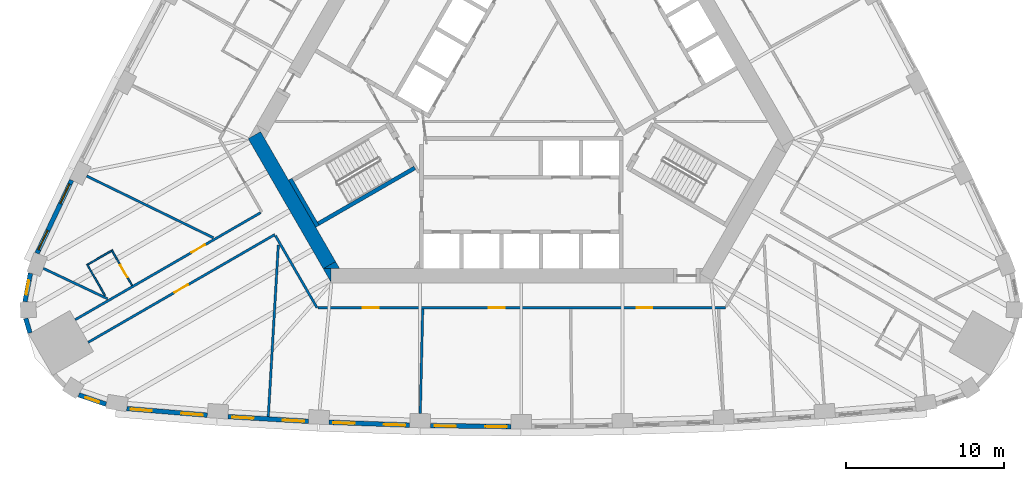
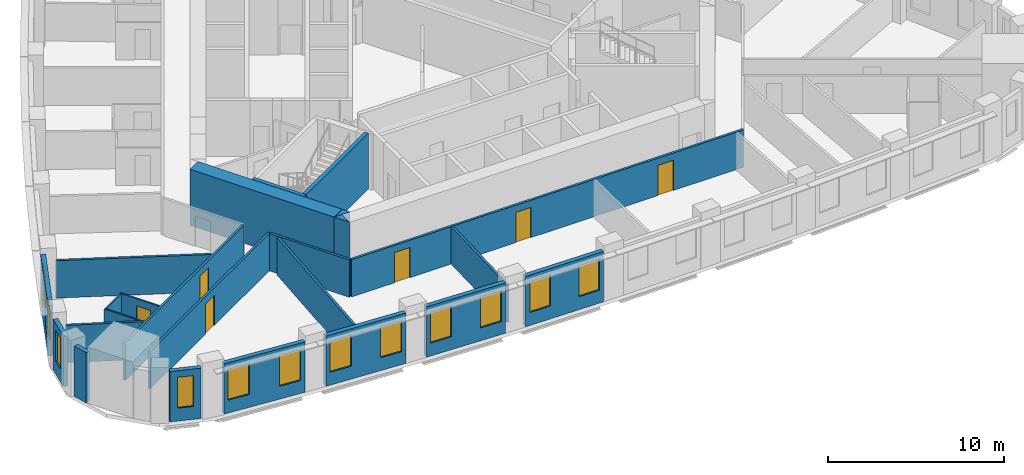
# One storey, part 3 of 12: 24 walls, 12 windows, 6 doors, 18 openings.
"""IFC4 building model written with IfcOpenShell, lengths in metres."""

from ifc_helpers import new_model, si_unit, direction, frame, frame_2d, origin, place, context, subcontext, project, spatial, polyline, rectangle, outline, extrude, material, layer, layer_set, type_object, element, fill, save


model = new_model("IFC4")

# Units and contexts
model_context = context("Model", 3, precision=1e-05, world=origin(), true_north=direction((0.0, 1.0)))
body_context = subcontext(model_context, "Body", "Model", "MODEL_VIEW")
ifc_project = project(units=[si_unit("LENGTHUNIT", "METRE"), si_unit("AREAUNIT", "SQUARE_METRE"), si_unit("VOLUMEUNIT", "CUBIC_METRE"), si_unit("PLANEANGLEUNIT", "RADIAN"), si_unit("MASSUNIT", "GRAM", prefix="KILO")], contexts=[model_context])

# Site, building, storey
site_placement = place(None, origin())
site = spatial("IfcSite", under=ifc_project, at=site_placement, CompositionType="ELEMENT")
building_placement = place(site_placement, origin())
building = spatial("IfcBuilding", under=site, at=building_placement, Name="Mestral Congress Tower", CompositionType="ELEMENT")
storey_placement = place(building_placement, frame((0.0, 0.0, 130.5)))
storey = spatial("IfcBuildingStorey", under=building, at=storey_placement, Name="L31", CompositionType="ELEMENT", Elevation=130.5)

# Walls
ifc_material_1 = material(Name="Concrete C60/75", Category="concrete")
ifc_layer_1 = layer(ifc_material_1, 0.89990234375)
ifc_layer_set_1 = layer_set([ifc_layer_1], Name="Concrete C60/75")
wall_type_1 = type_object("IfcWallType", Name="Core wall RC 900", PredefinedType="SOLIDWALL", material=ifc_layer_set_1)
placement = place(storey_placement, origin())
element("IfcWall", 1, at=placement, inside=storey, type_object=wall_type_1, Name="L31 core wall", PredefinedType="SOLIDWALL", context=body_context, shape_type="SweptSolid", body=[
    extrude(outline(polyline([(-12.528564453125, -12.10009765625), (-12.0205078125, -12.10009765625), (-12.0205078125, -12.97998046875), (-12.528564453125, -12.10009765625)])), origin(), (0.0, 0.0, 1.0), 3.89990234375),
])
wall_2_placement = place(storey_placement, frame((-12.134033203125, -11.88330078125, 0.0), z_axis=(0.0, 0.0, 1.0), x_axis=(-0.500005339912, 0.866022320763, 0.0)))
element("IfcWall", 2, at=wall_2_placement, inside=storey, type_object=wall_type_1, Name="L31 core wall", PredefinedType="SOLIDWALL", context=body_context, shape_type="SweptSolid", body=[
    extrude(rectangle(XDim=9.48779296875, YDim=0.89990234375, at=frame_2d((4.743896484375, 0.0))), origin(), (0.0, 0.0, 1.0), 3.89990234375),
])
element("IfcWall", 3, at=placement, inside=storey, type_object=wall_type_1, Name="L31 core wall", PredefinedType="SOLIDWALL", context=body_context, shape_type="SweptSolid", body=[
    extrude(outline(polyline([(-11.4892578125, -12.10009765625), (-12.50537109375, -12.10009765625), (-11.743408203125, -11.66015625), (-11.4892578125, -12.10009765625)])), origin(), (0.0, 0.0, 1.0), 3.89990234375),
])

# Wall, openings, windows
ifc_material_2 = material(Name="Precast concrete C40/50 with limestone facing", Category="masonry")
ifc_layer_2 = layer(ifc_material_2, 0.2900390625)
ifc_layer_set_2 = layer_set([ifc_layer_2], Name="Precast concrete C40/50 with limestone facing")
wall_type_2 = type_object("IfcWallType", Name="Facade stone wall 290", PredefinedType="SOLIDWALL", material=ifc_layer_set_2)
wall_4_placement = place(storey_placement, frame((-24.9462890625, -20.95361328125, 0.0), z_axis=(0.0, 0.0, 1.0), x_axis=(0.99665273362, -0.081751627308, 0.0)))
wall_4 = element("IfcWall", 4, at=wall_4_placement, inside=storey, type_object=wall_type_2, Name="Facade wall F0-00", PredefinedType="SOLIDWALL", context=body_context, shape_type="SweptSolid", body=[
    extrude(rectangle(XDim=5.106689453125, YDim=0.2900390625, at=frame_2d((2.55322265625, 0.0))), origin(), (0.0, 0.0, 1.0), 3.5),
])
opening_1_placement = place(wall_4_placement, frame((0.240478515625, 0.0, 0.89990234375)))
opening_1 = element("IfcOpeningElement", 5, at=opening_1_placement, cuts=wall_4, Name="Opening W2", PredefinedType="OPENING", context=body_context, shape_type="SweptSolid", body=[
    extrude(rectangle(XDim=1.35009765625, YDim=2.14990234375, at=frame_2d((0.675048828125, 1.074951171875))), frame((0.0, 0.155029296875, 0.0), z_axis=(0.0, -1.0, 0.0), x_axis=(1.0, 0.0, 0.0)), (0.0, 0.0, 1.0), 0.31005859375),
])
opening_2_placement = place(wall_4_placement, frame((3.47119140625, 0.0, 0.89990234375)))
opening_2 = element("IfcOpeningElement", 6, at=opening_2_placement, cuts=wall_4, Name="Opening W2", PredefinedType="OPENING", context=body_context, shape_type="SweptSolid", body=[
    extrude(rectangle(XDim=1.35009765625, YDim=2.14990234375, at=frame_2d((0.675048828125, 1.074951171875))), frame((0.0, 0.155029296875, 0.0), z_axis=(0.0, -1.0, 0.0), x_axis=(1.0, 0.0, 0.0)), (0.0, 0.0, 1.0), 0.31005859375),
])
ifc_material_3 = material(Name="Clear low-emissivity double glazing", Category="glass")
window_type_1 = type_object("IfcWindowType", Name="Facade punched window 1350 x 2150 sill 900", PartitioningType="DOUBLE_PANEL_VERTICAL", PredefinedType="WINDOW", material=ifc_material_3)
window_1_placement = place(opening_1_placement, origin())
window_1 = element("IfcWindow", 7, at=window_1_placement, inside=storey, type_object=window_type_1, Name="Window F0-00a", OverallHeight=2.14990234375, OverallWidth=1.35009765625, PartitioningType="DOUBLE_PANEL_VERTICAL", PredefinedType="WINDOW", context=body_context, shape_type="SweptSolid", body=[
    extrude(rectangle(XDim=1.35009765625, YDim=2.14990234375, at=frame_2d((0.675048828125, 1.074951171875))), frame((0.0, 0.01513671875, 0.0), z_axis=(0.0, -1.0, 0.0), x_axis=(1.0, 0.0, 0.0)), (0.0, 0.0, 1.0), 0.06005859375),
])
fill(opening_1, window_1)
window_2_placement = place(opening_2_placement, origin())
window_2 = element("IfcWindow", 8, at=window_2_placement, inside=storey, type_object=window_type_1, Name="Window F0-00b", OverallHeight=2.14990234375, OverallWidth=1.35009765625, PartitioningType="DOUBLE_PANEL_VERTICAL", PredefinedType="WINDOW", context=body_context, shape_type="SweptSolid", body=[
    extrude(rectangle(XDim=1.35009765625, YDim=2.14990234375, at=frame_2d((0.675048828125, 1.074951171875))), frame((0.0, 0.01513671875, 0.0), z_axis=(0.0, -1.0, 0.0), x_axis=(1.0, 0.0, 0.0)), (0.0, 0.0, 1.0), 0.06005859375),
])
fill(opening_2, window_2)

wall_5_placement = place(storey_placement, frame((-18.553466796875, -21.462890625, 0.0), z_axis=(0.0, 0.0, 1.0), x_axis=(0.998290511436, -0.058447025388, 0.0)))
wall_5 = element("IfcWall", 9, at=wall_5_placement, inside=storey, type_object=wall_type_2, Name="Facade wall F0-01", PredefinedType="SOLIDWALL", context=body_context, shape_type="SweptSolid", body=[
    extrude(rectangle(XDim=5.100341796875, YDim=0.2900390625, at=frame_2d((2.55029296875, 0.0))), origin(), (0.0, 0.0, 1.0), 3.5),
])
opening_3_placement = place(wall_5_placement, frame((0.272705078125, 0.0, 0.89990234375)))
opening_3 = element("IfcOpeningElement", 10, at=opening_3_placement, cuts=wall_5, Name="Opening W2", PredefinedType="OPENING", context=body_context, shape_type="SweptSolid", body=[
    extrude(rectangle(XDim=1.35009765625, YDim=2.14990234375, at=frame_2d((0.675048828125, 1.074951171875))), frame((0.0, 0.155029296875, 0.0), z_axis=(0.0, -1.0, 0.0), x_axis=(1.0, 0.0, 0.0)), (0.0, 0.0, 1.0), 0.31005859375),
])
opening_4_placement = place(wall_5_placement, frame((3.477783203125, 0.0, 0.89990234375)))
opening_4 = element("IfcOpeningElement", 11, at=opening_4_placement, cuts=wall_5, Name="Opening W2", PredefinedType="OPENING", context=body_context, shape_type="SweptSolid", body=[
    extrude(rectangle(XDim=1.35009765625, YDim=2.14990234375, at=frame_2d((0.675048828125, 1.074951171875))), frame((0.0, 0.155029296875, 0.0), z_axis=(0.0, -1.0, 0.0), x_axis=(1.0, 0.0, 0.0)), (0.0, 0.0, 1.0), 0.31005859375),
])
window_3_placement = place(opening_3_placement, origin())
window_3 = element("IfcWindow", 12, at=window_3_placement, inside=storey, type_object=window_type_1, Name="Window F0-01a", OverallHeight=2.14990234375, OverallWidth=1.35009765625, PartitioningType="DOUBLE_PANEL_VERTICAL", PredefinedType="WINDOW", context=body_context, shape_type="SweptSolid", body=[
    extrude(rectangle(XDim=1.35009765625, YDim=2.14990234375, at=frame_2d((0.675048828125, 1.074951171875))), frame((0.0, 0.01513671875, 0.0), z_axis=(0.0, -1.0, 0.0), x_axis=(1.0, 0.0, 0.0)), (0.0, 0.0, 1.0), 0.06005859375),
])
fill(opening_3, window_3)
window_4_placement = place(opening_4_placement, origin())
window_4 = element("IfcWindow", 13, at=window_4_placement, inside=storey, type_object=window_type_1, Name="Window F0-01b", OverallHeight=2.14990234375, OverallWidth=1.35009765625, PartitioningType="DOUBLE_PANEL_VERTICAL", PredefinedType="WINDOW", context=body_context, shape_type="SweptSolid", body=[
    extrude(rectangle(XDim=1.35009765625, YDim=2.14990234375, at=frame_2d((0.675048828125, 1.074951171875))), frame((0.0, 0.01513671875, 0.0), z_axis=(0.0, -1.0, 0.0), x_axis=(1.0, 0.0, 0.0)), (0.0, 0.0, 1.0), 0.06005859375),
])
fill(opening_4, window_4)

wall_6_placement = place(storey_placement, frame((-12.15673828125, -21.822021484375, 0.0), z_axis=(0.0, 0.0, 1.0), x_axis=(0.999385993957, -0.035037623812, 0.0)))
wall_6 = element("IfcWall", 14, at=wall_6_placement, inside=storey, type_object=wall_type_2, Name="Facade wall F0-02", PredefinedType="SOLIDWALL", context=body_context, shape_type="SweptSolid", body=[
    extrude(rectangle(XDim=5.1005859375, YDim=0.2900390625, at=frame_2d((2.55029296875, 0.0))), origin(), (0.0, 0.0, 1.0), 3.5),
])
opening_5_placement = place(wall_6_placement, frame((0.272705078125, 0.0, 0.89990234375)))
opening_5 = element("IfcOpeningElement", 15, at=opening_5_placement, cuts=wall_6, Name="Opening W2", PredefinedType="OPENING", context=body_context, shape_type="SweptSolid", body=[
    extrude(rectangle(XDim=1.35009765625, YDim=2.14990234375, at=frame_2d((0.675048828125, 1.074951171875))), frame((0.0, 0.155029296875, 0.0), z_axis=(0.0, -1.0, 0.0), x_axis=(1.0, 0.0, 0.0)), (0.0, 0.0, 1.0), 0.31005859375),
])
opening_6_placement = place(wall_6_placement, frame((3.477783203125, 0.0, 0.89990234375)))
opening_6 = element("IfcOpeningElement", 16, at=opening_6_placement, cuts=wall_6, Name="Opening W2", PredefinedType="OPENING", context=body_context, shape_type="SweptSolid", body=[
    extrude(rectangle(XDim=1.35009765625, YDim=2.14990234375, at=frame_2d((0.675048828125, 1.074951171875))), frame((0.0, 0.155029296875, 0.0), z_axis=(0.0, -1.0, 0.0), x_axis=(1.0, 0.0, 0.0)), (0.0, 0.0, 1.0), 0.31005859375),
])
window_5_placement = place(opening_5_placement, origin())
window_5 = element("IfcWindow", 17, at=window_5_placement, inside=storey, type_object=window_type_1, Name="Window F0-02a", OverallHeight=2.14990234375, OverallWidth=1.35009765625, PartitioningType="DOUBLE_PANEL_VERTICAL", PredefinedType="WINDOW", context=body_context, shape_type="SweptSolid", body=[
    extrude(rectangle(XDim=1.35009765625, YDim=2.14990234375, at=frame_2d((0.675048828125, 1.074951171875))), frame((0.0, 0.01513671875, 0.0), z_axis=(0.0, -1.0, 0.0), x_axis=(1.0, 0.0, 0.0)), (0.0, 0.0, 1.0), 0.06005859375),
])
fill(opening_5, window_5)
window_6_placement = place(opening_6_placement, origin())
window_6 = element("IfcWindow", 18, at=window_6_placement, inside=storey, type_object=window_type_1, Name="Window F0-02b", OverallHeight=2.14990234375, OverallWidth=1.35009765625, PartitioningType="DOUBLE_PANEL_VERTICAL", PredefinedType="WINDOW", context=body_context, shape_type="SweptSolid", body=[
    extrude(rectangle(XDim=1.35009765625, YDim=2.14990234375, at=frame_2d((0.675048828125, 1.074951171875))), frame((0.0, 0.01513671875, 0.0), z_axis=(0.0, -1.0, 0.0), x_axis=(1.0, 0.0, 0.0)), (0.0, 0.0, 1.0), 0.06005859375),
])
fill(opening_6, window_6)

wall_7_placement = place(storey_placement, frame((-5.753173828125, -22.031494140625, 0.0), z_axis=(0.0, 0.0, 1.0), x_axis=(0.999931786565, -0.011679992145, 0.0)))
wall_7 = element("IfcWall", 19, at=wall_7_placement, inside=storey, type_object=wall_type_2, Name="Facade wall F0-03", PredefinedType="SOLIDWALL", context=body_context, shape_type="SweptSolid", body=[
    extrude(rectangle(XDim=5.10009765625, YDim=0.2900390625, at=frame_2d((2.550048828125, 0.0))), origin(), (0.0, 0.0, 1.0), 3.5),
])
opening_7_placement = place(wall_7_placement, frame((0.2724609375, 0.0, 0.89990234375)))
opening_7 = element("IfcOpeningElement", 20, at=opening_7_placement, cuts=wall_7, Name="Opening W2", PredefinedType="OPENING", context=body_context, shape_type="SweptSolid", body=[
    extrude(rectangle(XDim=1.35009765625, YDim=2.14990234375, at=frame_2d((0.675048828125, 1.074951171875))), frame((0.0, 0.155029296875, 0.0), z_axis=(0.0, -1.0, 0.0), x_axis=(1.0, 0.0, 0.0)), (0.0, 0.0, 1.0), 0.31005859375),
])
opening_8_placement = place(wall_7_placement, frame((3.477783203125, 0.0, 0.89990234375)))
opening_8 = element("IfcOpeningElement", 21, at=opening_8_placement, cuts=wall_7, Name="Opening W2", PredefinedType="OPENING", context=body_context, shape_type="SweptSolid", body=[
    extrude(rectangle(XDim=1.35009765625, YDim=2.14990234375, at=frame_2d((0.675048828125, 1.074951171875))), frame((0.0, 0.155029296875, 0.0), z_axis=(0.0, -1.0, 0.0), x_axis=(1.0, 0.0, 0.0)), (0.0, 0.0, 1.0), 0.31005859375),
])
window_7_placement = place(opening_7_placement, origin())
window_7 = element("IfcWindow", 22, at=window_7_placement, inside=storey, type_object=window_type_1, Name="Window F0-03a", OverallHeight=2.14990234375, OverallWidth=1.35009765625, PartitioningType="DOUBLE_PANEL_VERTICAL", PredefinedType="WINDOW", context=body_context, shape_type="SweptSolid", body=[
    extrude(rectangle(XDim=1.35009765625, YDim=2.14990234375, at=frame_2d((0.675048828125, 1.074951171875))), frame((0.0, 0.01513671875, 0.0), z_axis=(0.0, -1.0, 0.0), x_axis=(1.0, 0.0, 0.0)), (0.0, 0.0, 1.0), 0.06005859375),
])
fill(opening_7, window_7)
window_8_placement = place(opening_8_placement, origin())
window_8 = element("IfcWindow", 23, at=window_8_placement, inside=storey, type_object=window_type_1, Name="Window F0-03b", OverallHeight=2.14990234375, OverallWidth=1.35009765625, PartitioningType="DOUBLE_PANEL_VERTICAL", PredefinedType="WINDOW", context=body_context, shape_type="SweptSolid", body=[
    extrude(rectangle(XDim=1.35009765625, YDim=2.14990234375, at=frame_2d((0.675048828125, 1.074951171875))), frame((0.0, 0.01513671875, 0.0), z_axis=(0.0, -1.0, 0.0), x_axis=(1.0, 0.0, 0.0)), (0.0, 0.0, 1.0), 0.06005859375),
])
fill(opening_8, window_8)

wall_8_placement = place(storey_placement, frame((-28.436279296875, -6.5107421875, 0.0), z_axis=(0.0, 0.0, 1.0), x_axis=(-0.427543726596, -0.903994669148, 0.0)))
wall_8 = element("IfcWall", 24, at=wall_8_placement, inside=storey, type_object=wall_type_2, Name="Facade wall F2-07", PredefinedType="SOLIDWALL", context=body_context, shape_type="SweptSolid", body=[
    extrude(rectangle(XDim=5.106689453125, YDim=0.2900390625, at=frame_2d((2.55322265625, 0.0))), origin(), (0.0, 0.0, 1.0), 3.5),
])
opening_9_placement = place(wall_8_placement, frame((0.285400390625, 0.0, 0.89990234375)))
opening_9 = element("IfcOpeningElement", 25, at=opening_9_placement, cuts=wall_8, Name="Opening W2", PredefinedType="OPENING", context=body_context, shape_type="SweptSolid", body=[
    extrude(rectangle(XDim=1.35009765625, YDim=2.14990234375, at=frame_2d((0.675048828125, 1.074951171875))), frame((0.0, 0.155029296875, 0.0), z_axis=(0.0, -1.0, 0.0), x_axis=(1.0, 0.0, 0.0)), (0.0, 0.0, 1.0), 0.31005859375),
])
opening_10_placement = place(wall_8_placement, frame((3.516357421875, 0.0, 0.89990234375)))
opening_10 = element("IfcOpeningElement", 26, at=opening_10_placement, cuts=wall_8, Name="Opening W2", PredefinedType="OPENING", context=body_context, shape_type="SweptSolid", body=[
    extrude(rectangle(XDim=1.35009765625, YDim=2.14990234375, at=frame_2d((0.675048828125, 1.074951171875))), frame((0.0, 0.155029296875, 0.0), z_axis=(0.0, -1.0, 0.0), x_axis=(1.0, 0.0, 0.0)), (0.0, 0.0, 1.0), 0.31005859375),
])
window_9_placement = place(opening_9_placement, origin())
window_9 = element("IfcWindow", 27, at=window_9_placement, inside=storey, type_object=window_type_1, Name="Window F2-07a", OverallHeight=2.14990234375, OverallWidth=1.35009765625, PartitioningType="DOUBLE_PANEL_VERTICAL", PredefinedType="WINDOW", context=body_context, shape_type="SweptSolid", body=[
    extrude(rectangle(XDim=1.35009765625, YDim=2.14990234375, at=frame_2d((0.675048828125, 1.074951171875))), frame((0.0, 0.01513671875, 0.0), z_axis=(0.0, -1.0, 0.0), x_axis=(1.0, 0.0, 0.0)), (0.0, 0.0, 1.0), 0.06005859375),
])
fill(opening_9, window_9)
window_10_placement = place(opening_10_placement, origin())
window_10 = element("IfcWindow", 28, at=window_10_placement, inside=storey, type_object=window_type_1, Name="Window F2-07b", OverallHeight=2.14990234375, OverallWidth=1.35009765625, PartitioningType="DOUBLE_PANEL_VERTICAL", PredefinedType="WINDOW", context=body_context, shape_type="SweptSolid", body=[
    extrude(rectangle(XDim=1.35009765625, YDim=2.14990234375, at=frame_2d((0.675048828125, 1.074951171875))), frame((0.0, 0.01513671875, 0.0), z_axis=(0.0, -1.0, 0.0), x_axis=(1.0, 0.0, 0.0)), (0.0, 0.0, 1.0), 0.06005859375),
])
fill(opening_10, window_10)

# Wall, opening, window
wall_9_placement = place(storey_placement, frame((-31.0390625, -12.403076171875, 0.0), z_axis=(0.0, 0.0, 1.0), x_axis=(-0.190409913989, -0.981704672829, 0.0)))
wall_9 = element("IfcWall", 29, at=wall_9_placement, inside=storey, type_object=wall_type_2, Name="Facade wall K2-0", PredefinedType="SOLIDWALL", context=body_context, shape_type="SweptSolid", body=[
    extrude(rectangle(XDim=1.8193359375, YDim=0.2900390625, at=frame_2d((0.90966796875, 0.0))), origin(), (0.0, 0.0, 1.0), 3.5),
])
opening_11_placement = place(wall_9_placement, frame((0.459716796875, 0.0, 0.89990234375)))
opening_11 = element("IfcOpeningElement", 30, at=opening_11_placement, cuts=wall_9, Name="Opening W3", PredefinedType="OPENING", context=body_context, shape_type="SweptSolid", body=[
    extrude(rectangle(XDim=0.89990234375, YDim=2.14990234375, at=frame_2d((0.449951171875, 1.074951171875))), frame((0.0, 0.155029296875, 0.0), z_axis=(0.0, -1.0, 0.0), x_axis=(1.0, 0.0, 0.0)), (0.0, 0.0, 1.0), 0.31005859375),
])
window_type_2 = type_object("IfcWindowType", Name="Facade punched window 900 x 2150 sill 900", PartitioningType="SINGLE_PANEL", PredefinedType="WINDOW", material=ifc_material_3)
window_11_placement = place(opening_11_placement, origin())
window_11 = element("IfcWindow", 31, at=window_11_placement, inside=storey, type_object=window_type_2, Name="Window K2-0", OverallHeight=2.14990234375, OverallWidth=0.89990234375, PartitioningType="SINGLE_PANEL", PredefinedType="WINDOW", context=body_context, shape_type="SweptSolid", body=[
    extrude(rectangle(XDim=0.89990234375, YDim=2.14990234375, at=frame_2d((0.449951171875, 1.074951171875))), frame((0.0, 0.01513671875, 0.0), z_axis=(0.0, -1.0, 0.0), x_axis=(1.0, 0.0, 0.0)), (0.0, 0.0, 1.0), 0.06005859375),
])
fill(opening_11, window_11)

# Wall
wall_10_placement = place(storey_placement, frame((-31.335693359375, -15.25634765625, 0.0), z_axis=(0.0, 0.0, 1.0), x_axis=(0.281454582132, -0.95957455062, 0.0)))
element("IfcWall", 32, at=wall_10_placement, inside=storey, type_object=wall_type_2, Name="Facade wall K2-1", PredefinedType="SOLIDWALL", context=body_context, shape_type="SweptSolid", body=[
    extrude(rectangle(XDim=0.947265625, YDim=0.2900390625, at=frame_2d((0.4736328125, 0.0))), origin(), (0.0, 0.0, 1.0), 3.5),
])

# Wall, opening, window
wall_11_placement = place(storey_placement, frame((-27.98095703125, -20.086181640625, 0.0), z_axis=(0.0, 0.0, 1.0), x_axis=(0.945385815453, -0.325953462844, 0.0)))
wall_11 = element("IfcWall", 33, at=wall_11_placement, inside=storey, type_object=wall_type_2, Name="Facade wall K2-3", PredefinedType="SOLIDWALL", context=body_context, shape_type="SweptSolid", body=[
    extrude(rectangle(XDim=1.8193359375, YDim=0.2900390625, at=frame_2d((0.90966796875, 0.0))), origin(), (0.0, 0.0, 1.0), 3.5),
])
opening_12_placement = place(wall_11_placement, frame((0.459716796875, 0.0, 0.89990234375)))
opening_12 = element("IfcOpeningElement", 34, at=opening_12_placement, cuts=wall_11, Name="Opening W3", PredefinedType="OPENING", context=body_context, shape_type="SweptSolid", body=[
    extrude(rectangle(XDim=0.89990234375, YDim=2.14990234375, at=frame_2d((0.449951171875, 1.074951171875))), frame((0.0, 0.155029296875, 0.0), z_axis=(0.0, -1.0, 0.0), x_axis=(1.0, 0.0, 0.0)), (0.0, 0.0, 1.0), 0.31005859375),
])
window_12_placement = place(opening_12_placement, origin())
window_12 = element("IfcWindow", 35, at=window_12_placement, inside=storey, type_object=window_type_2, Name="Window K2-3", OverallHeight=2.14990234375, OverallWidth=0.89990234375, PartitioningType="SINGLE_PANEL", PredefinedType="WINDOW", context=body_context, shape_type="SweptSolid", body=[
    extrude(rectangle(XDim=0.89990234375, YDim=2.14990234375, at=frame_2d((0.449951171875, 1.074951171875))), frame((0.0, 0.01513671875, 0.0), z_axis=(0.0, -1.0, 0.0), x_axis=(1.0, 0.0, 0.0)), (0.0, 0.0, 1.0), 0.06005859375),
])
fill(opening_12, window_12)

# Wall, opening, door
ifc_material_4 = material(Name="Gypsum board partition on metal studs with mineral wool", Category="composite")
ifc_layer_3 = layer(ifc_material_4, 0.10009765625)
ifc_layer_set_3 = layer_set([ifc_layer_3], Name="Gypsum board partition on metal studs with mineral wool")
wall_type_3 = type_object("IfcWallType", Name="Hotel partition wall 100", PredefinedType="PARTITIONING", material=ifc_layer_set_3)
wall_12_placement = place(storey_placement, frame((-24.610107421875, -13.16943359375, 0.0), z_axis=(0.0, 0.0, 1.0), x_axis=(-0.500006934395, 0.866021400173, 0.0)))
wall_12 = element("IfcWall", 36, at=wall_12_placement, inside=storey, type_object=wall_type_3, Name="L31-h-pod23a", PredefinedType="PARTITIONING", context=body_context, shape_type="SweptSolid", body=[
    extrude(rectangle(XDim=2.60009765625, YDim=0.10009765625, at=frame_2d((1.300048828125, 0.0))), origin(), (0.0, 0.0, 1.0), 2.60009765625),
])
opening_13_placement = place(wall_12_placement, frame((0.60009765625, 0.0, 0.0)))
opening_13 = element("IfcOpeningElement", 37, at=opening_13_placement, cuts=wall_12, Name="Opening H10-032", PredefinedType="OPENING", context=body_context, shape_type="SweptSolid", body=[
    extrude(rectangle(XDim=0.89990234375, YDim=2.10009765625, at=frame_2d((0.449951171875, 1.050048828125))), frame((0.0, 0.06005859375, 0.0), z_axis=(0.0, -1.0, 0.0), x_axis=(1.0, 0.0, 0.0)), (0.0, 0.0, 1.0), 0.1201171875),
])
ifc_material_5 = material(Name="Timber veneer door leaf in timber frame", Category="wood")
door_type_1 = type_object("IfcDoorType", Name="Bathroom door 900", OperationType="SINGLE_SWING_LEFT", PredefinedType="DOOR", material=ifc_material_5)
door_1_placement = place(opening_13_placement, origin())
door_1 = element("IfcDoor", 38, at=door_1_placement, inside=storey, type_object=door_type_1, Name="L31-h-d032", OperationType="SINGLE_SWING_LEFT", OverallHeight=2.10009765625, OverallWidth=0.89990234375, PredefinedType="DOOR", context=body_context, shape_type="SweptSolid", body=[
    extrude(rectangle(XDim=0.89990234375, YDim=2.10009765625, at=frame_2d((0.449951171875, 1.050048828125))), frame((0.0, 0.02490234375, 0.0), z_axis=(0.0, -1.0, 0.0), x_axis=(1.0, 0.0, 0.0)), (0.0, 0.0, 1.0), 0.050048828125),
])
fill(opening_13, door_1)

# Walls
wall_13_placement = place(storey_placement, frame((-25.928466796875, -10.986083984375, 0.0), z_axis=(0.0, 0.0, 1.0), x_axis=(-0.865989465428, -0.500062241894, 0.0)))
element("IfcWall", 39, at=wall_13_placement, inside=storey, type_object=wall_type_3, Name="L31-h-pod23b", PredefinedType="PARTITIONING", context=body_context, shape_type="SweptSolid", body=[
    extrude(rectangle(XDim=1.699951171875, YDim=0.10009765625, at=frame_2d((0.85009765625, 0.0))), origin(), (0.0, 0.0, 1.0), 2.60009765625),
])
wall_14_placement = place(storey_placement, frame((-26.319091796875, -13.809814453125, 0.0), z_axis=(0.0, 0.0, 1.0), x_axis=(-0.499952165731, 0.866053019151, 0.0)))
element("IfcWall", 40, at=wall_14_placement, inside=storey, type_object=wall_type_3, Name="L31-h-pod23c", PredefinedType="PARTITIONING", context=body_context, shape_type="SweptSolid", body=[
    extrude(rectangle(XDim=2.300048828125, YDim=0.10009765625, at=frame_2d((1.14990234375, 0.0))), origin(), (0.0, 0.0, 1.0), 2.60009765625),
])

# Wall, opening, door
ifc_layer_4 = layer(ifc_material_4, 0.14990234375)
ifc_layer_set_4 = layer_set([ifc_layer_4], Name="Gypsum board partition on metal studs with mineral wool")
wall_type_4 = type_object("IfcWallType", Name="Hotel partition wall 150", PredefinedType="PARTITIONING", material=ifc_layer_set_4)
wall_15_placement = place(storey_placement, frame((-28.210693359375, -15.334716796875, 0.0), z_axis=(0.0, 0.0, 1.0), x_axis=(0.866025884867, 0.49999916674, 0.0)))
wall_15 = element("IfcWall", 41, at=wall_15_placement, inside=storey, type_object=wall_type_4, Name="L31-h-cw10", PredefinedType="PARTITIONING", context=body_context, shape_type="SweptSolid", body=[
    extrude(rectangle(XDim=13.54345703125, YDim=0.14990234375, at=frame_2d((6.771728515625, 0.0))), origin(), (0.0, 0.0, 1.0), 2.60009765625),
])
opening_14_placement = place(wall_15_placement, frame((8.48828125, 0.0, 0.0)))
opening_14 = element("IfcOpeningElement", 42, at=opening_14_placement, cuts=wall_15, Name="Opening H10-031", PredefinedType="OPENING", context=body_context, shape_type="SweptSolid", body=[
    extrude(rectangle(XDim=1.0, YDim=2.10009765625, at=frame_2d((0.5, 1.050048828125))), frame((0.0, 0.0849609375, 0.0), z_axis=(0.0, -1.0, 0.0), x_axis=(1.0, 0.0, 0.0)), (0.0, 0.0, 1.0), 0.169921875),
])
ifc_material_6 = material(Name="Timber veneer door leaf in metal frame", Category="wood")
door_type_2 = type_object("IfcDoorType", Name="Guest room entrance door 1000", OperationType="SINGLE_SWING_LEFT", PredefinedType="DOOR", material=ifc_material_6)
door_2_placement = place(opening_14_placement, origin())
door_2 = element("IfcDoor", 43, at=door_2_placement, inside=storey, type_object=door_type_2, Name="L31-h-d031", OperationType="SINGLE_SWING_RIGHT", OverallHeight=2.10009765625, OverallWidth=1.0, PredefinedType="DOOR", context=body_context, shape_type="SweptSolid", body=[
    extrude(rectangle(XDim=1.0, YDim=2.10009765625, at=frame_2d((0.5, 1.050048828125))), frame((0.0, 0.02490234375, 0.0), z_axis=(0.0, -1.0, 0.0), x_axis=(1.0, 0.0, 0.0)), (0.0, 0.0, 1.0), 0.050048828125),
])
fill(opening_14, door_2)

wall_16_placement = place(storey_placement, frame((-15.58740234375, -9.951904296875, 0.0), z_axis=(0.0, 0.0, 1.0), x_axis=(-0.866017869832, -0.500013048961, 0.0)))
wall_16 = element("IfcWall", 44, at=wall_16_placement, inside=storey, type_object=wall_type_4, Name="L31-h-cw11", PredefinedType="PARTITIONING", context=body_context, shape_type="SweptSolid", body=[
    extrude(rectangle(XDim=13.623779296875, YDim=0.14990234375, at=frame_2d((6.81201171875, 0.0))), origin(), (0.0, 0.0, 1.0), 2.60009765625),
])
opening_15_placement = place(wall_16_placement, frame((6.33447265625, 0.0, 0.0)))
opening_15 = element("IfcOpeningElement", 45, at=opening_15_placement, cuts=wall_16, Name="Opening H10-001", PredefinedType="OPENING", context=body_context, shape_type="SweptSolid", body=[
    extrude(rectangle(XDim=1.0, YDim=2.10009765625, at=frame_2d((0.5, 1.050048828125))), frame((0.0, 0.0849609375, 0.0), z_axis=(0.0, -1.0, 0.0), x_axis=(1.0, 0.0, 0.0)), (0.0, 0.0, 1.0), 0.169921875),
])
door_3_placement = place(opening_15_placement, origin())
door_3 = element("IfcDoor", 46, at=door_3_placement, inside=storey, type_object=door_type_2, Name="L31-h-d001", OperationType="SINGLE_SWING_LEFT", OverallHeight=2.10009765625, OverallWidth=1.0, PredefinedType="DOOR", context=body_context, shape_type="SweptSolid", body=[
    extrude(rectangle(XDim=1.0, YDim=2.10009765625, at=frame_2d((0.5, 1.050048828125))), frame((0.0, 0.02490234375, 0.0), z_axis=(0.0, -1.0, 0.0), x_axis=(1.0, 0.0, 0.0)), (0.0, 0.0, 1.0), 0.050048828125),
])
fill(opening_15, door_3)

# Wall
wall_17_placement = place(storey_placement, frame((-12.918212890625, -14.574951171875, 0.0), z_axis=(0.0, 0.0, 1.0), x_axis=(-0.500009150678, 0.866020120573, 0.0)))
element("IfcWall", 47, at=wall_17_placement, inside=storey, type_object=wall_type_4, Name="L31-h-cw12", PredefinedType="PARTITIONING", context=body_context, shape_type="SweptSolid", body=[
    extrude(rectangle(XDim=5.25830078125, YDim=0.14990234375, at=frame_2d((2.629150390625, 0.0))), origin(), (0.0, 0.0, 1.0), 2.60009765625),
])

# Wall, openings, doors
wall_18_placement = place(storey_placement, frame((12.918212890625, -14.574951171875, 0.0), z_axis=(0.0, 0.0, 1.0), x_axis=(-1.0, 0.0, 0.0)))
wall_18 = element("IfcWall", 48, at=wall_18_placement, inside=storey, type_object=wall_type_4, Name="L31-h-cw13", PredefinedType="PARTITIONING", context=body_context, shape_type="SweptSolid", body=[
    extrude(rectangle(XDim=25.766357421875, YDim=0.14990234375, at=frame_2d((12.88330078125, 0.0))), origin(), (0.0, 0.0, 1.0), 2.60009765625),
])
opening_16_placement = place(wall_18_placement, frame((21.9462890625, 0.0, 0.0)))
opening_16 = element("IfcOpeningElement", 49, at=opening_16_placement, cuts=wall_18, Name="Opening H10-002", PredefinedType="OPENING", context=body_context, shape_type="SweptSolid", body=[
    extrude(rectangle(XDim=1.0, YDim=2.10009765625, at=frame_2d((0.5, 1.050048828125))), frame((0.0, 0.0849609375, 0.0), z_axis=(0.0, -1.0, 0.0), x_axis=(1.0, 0.0, 0.0)), (0.0, 0.0, 1.0), 0.169921875),
])
opening_17_placement = place(wall_18_placement, frame((13.976806640625, 0.0, 0.0)))
opening_17 = element("IfcOpeningElement", 50, at=opening_17_placement, cuts=wall_18, Name="Opening H10-003", PredefinedType="OPENING", context=body_context, shape_type="SweptSolid", body=[
    extrude(rectangle(XDim=1.0, YDim=2.10009765625, at=frame_2d((0.5, 1.050048828125))), frame((0.0, 0.0849609375, 0.0), z_axis=(0.0, -1.0, 0.0), x_axis=(1.0, 0.0, 0.0)), (0.0, 0.0, 1.0), 0.169921875),
])
opening_18_placement = place(wall_18_placement, frame((4.62158203125, 0.0, 0.0)))
opening_18 = element("IfcOpeningElement", 51, at=opening_18_placement, cuts=wall_18, Name="Opening H10-004", PredefinedType="OPENING", context=body_context, shape_type="SweptSolid", body=[
    extrude(rectangle(XDim=1.0, YDim=2.10009765625, at=frame_2d((0.5, 1.050048828125))), frame((0.0, 0.0849609375, 0.0), z_axis=(0.0, -1.0, 0.0), x_axis=(1.0, 0.0, 0.0)), (0.0, 0.0, 1.0), 0.169921875),
])
door_4_placement = place(opening_16_placement, origin())
door_4 = element("IfcDoor", 52, at=door_4_placement, inside=storey, type_object=door_type_2, Name="L31-h-d002", OperationType="SINGLE_SWING_RIGHT", OverallHeight=2.10009765625, OverallWidth=1.0, PredefinedType="DOOR", context=body_context, shape_type="SweptSolid", body=[
    extrude(rectangle(XDim=1.0, YDim=2.10009765625, at=frame_2d((0.5, 1.050048828125))), frame((0.0, 0.02490234375, 0.0), z_axis=(0.0, -1.0, 0.0), x_axis=(1.0, 0.0, 0.0)), (0.0, 0.0, 1.0), 0.050048828125),
])
fill(opening_16, door_4)
door_5_placement = place(opening_17_placement, origin())
door_5 = element("IfcDoor", 53, at=door_5_placement, inside=storey, type_object=door_type_2, Name="L31-h-d003", OperationType="SINGLE_SWING_LEFT", OverallHeight=2.10009765625, OverallWidth=1.0, PredefinedType="DOOR", context=body_context, shape_type="SweptSolid", body=[
    extrude(rectangle(XDim=1.0, YDim=2.10009765625, at=frame_2d((0.5, 1.050048828125))), frame((0.0, 0.02490234375, 0.0), z_axis=(0.0, -1.0, 0.0), x_axis=(1.0, 0.0, 0.0)), (0.0, 0.0, 1.0), 0.050048828125),
])
fill(opening_17, door_5)
door_6_placement = place(opening_18_placement, origin())
door_6 = element("IfcDoor", 54, at=door_6_placement, inside=storey, type_object=door_type_2, Name="L31-h-d004", OperationType="SINGLE_SWING_RIGHT", OverallHeight=2.10009765625, OverallWidth=1.0, PredefinedType="DOOR", context=body_context, shape_type="SweptSolid", body=[
    extrude(rectangle(XDim=1.0, YDim=2.10009765625, at=frame_2d((0.5, 1.050048828125))), frame((0.0, 0.02490234375, 0.0), z_axis=(0.0, -1.0, 0.0), x_axis=(1.0, 0.0, 0.0)), (0.0, 0.0, 1.0), 0.050048828125),
])
fill(opening_18, door_6)

# Walls
wall_19_placement = place(storey_placement, frame((-30.23095703125, -12.08544921875, 0.0), z_axis=(0.0, 0.0, 1.0), x_axis=(0.904001132572, -0.427530060122, 0.0)))
element("IfcWall", 55, at=wall_19_placement, inside=storey, type_object=wall_type_4, Name="L31-h-pw01", PredefinedType="PARTITIONING", context=body_context, shape_type="SweptSolid", body=[
    extrude(rectangle(XDim=4.509521484375, YDim=0.14990234375, at=frame_2d((2.2548828125, 0.0))), origin(), (0.0, 0.0, 1.0), 2.60009765625),
])
wall_20_placement = place(storey_placement, frame((-27.478515625, -6.2509765625, 0.0), z_axis=(0.0, 0.0, 1.0), x_axis=(0.898945877276, -0.438059710231, 0.0)))
element("IfcWall", 56, at=wall_20_placement, inside=storey, type_object=wall_type_4, Name="L31-h-pw02", PredefinedType="PARTITIONING", context=body_context, shape_type="SweptSolid", body=[
    extrude(rectangle(XDim=8.909423828125, YDim=0.14990234375, at=frame_2d((4.45458984375, 0.0))), origin(), (0.0, 0.0, 1.0), 2.60009765625),
])
wall_21_placement = place(storey_placement, frame((-15.9990234375, -21.467041015625, 0.0), z_axis=(0.0, 0.0, 1.0), x_axis=(0.058411453297, 0.998292593443, 0.0)))
element("IfcWall", 57, at=wall_21_placement, inside=storey, type_object=wall_type_4, Name="L31-h-pw05", PredefinedType="PARTITIONING", context=body_context, shape_type="SweptSolid", body=[
    extrude(rectangle(XDim=10.87548828125, YDim=0.14990234375, at=frame_2d((5.437744140625, 0.0))), origin(), (0.0, 0.0, 1.0), 2.60009765625),
])
wall_22_placement = place(storey_placement, frame((-6.388916015625, -21.268798828125, 0.0), z_axis=(0.0, 0.0, 1.0), x_axis=(0.023377429176, 0.999726710559, 0.0)))
element("IfcWall", 58, at=wall_22_placement, inside=storey, type_object=wall_type_4, Name="L31-h-pw09", PredefinedType="PARTITIONING", context=body_context, shape_type="SweptSolid", body=[
    extrude(rectangle(XDim=6.610595703125, YDim=0.14990234375, at=frame_2d((3.30517578125, 0.0))), origin(), (0.0, 0.0, 1.0), 2.60009765625),
])
ifc_layer_5 = layer(ifc_material_1, 0.25)
ifc_layer_set_5 = layer_set([ifc_layer_5], Name="Concrete C60/75")
wall_type_5 = type_object("IfcWallType", Name="Stair wall RC 250", PredefinedType="SOLIDWALL", material=ifc_layer_set_5)
wall_23_placement = place(storey_placement, frame((-12.885498046875, -9.431396484375, 0.0), z_axis=(0.0, 0.0, 1.0), x_axis=(-0.500020560727, 0.866013532718, 0.0)))
element("IfcWall", 59, at=wall_23_placement, inside=storey, type_object=wall_type_5, Name="L31 core wall", PredefinedType="SOLIDWALL", context=body_context, shape_type="SweptSolid", body=[
    extrude(rectangle(XDim=3.449951171875, YDim=0.25, at=frame_2d((1.72509765625, 0.0))), origin(), (0.0, 0.0, 1.0), 3.89990234375),
])
wall_24_placement = place(storey_placement, frame((-12.83984375, -9.2607421875, 0.0), z_axis=(0.0, 0.0, 1.0), x_axis=(0.866016039709, 0.500016218704, 0.0)))
element("IfcWall", 60, at=wall_24_placement, inside=storey, type_object=wall_type_5, Name="L31 core wall", PredefinedType="SOLIDWALL", context=body_context, shape_type="SweptSolid", body=[
    extrude(rectangle(XDim=7.050048828125, YDim=0.25, at=frame_2d((3.52490234375, 0.0))), origin(), (0.0, 0.0, 1.0), 3.89990234375),
])

save(model, "model.ifc")
